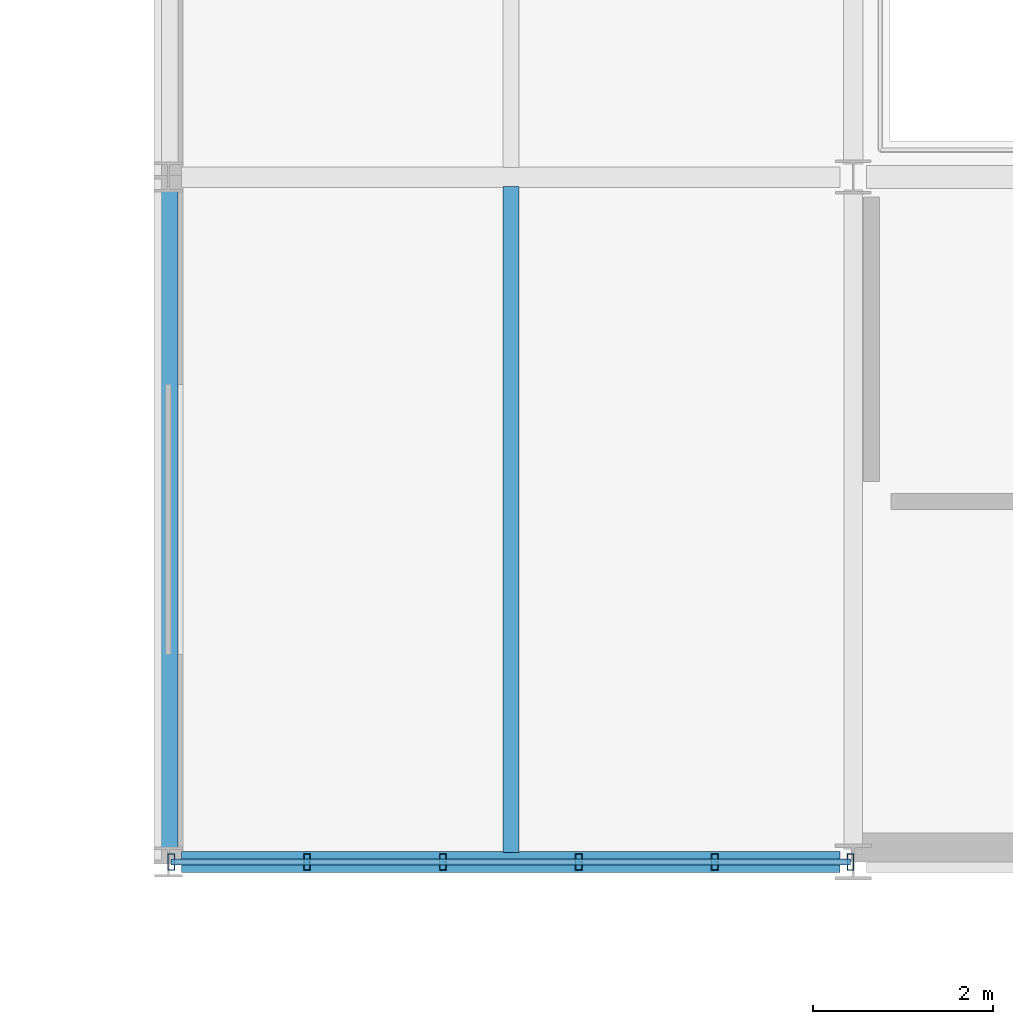
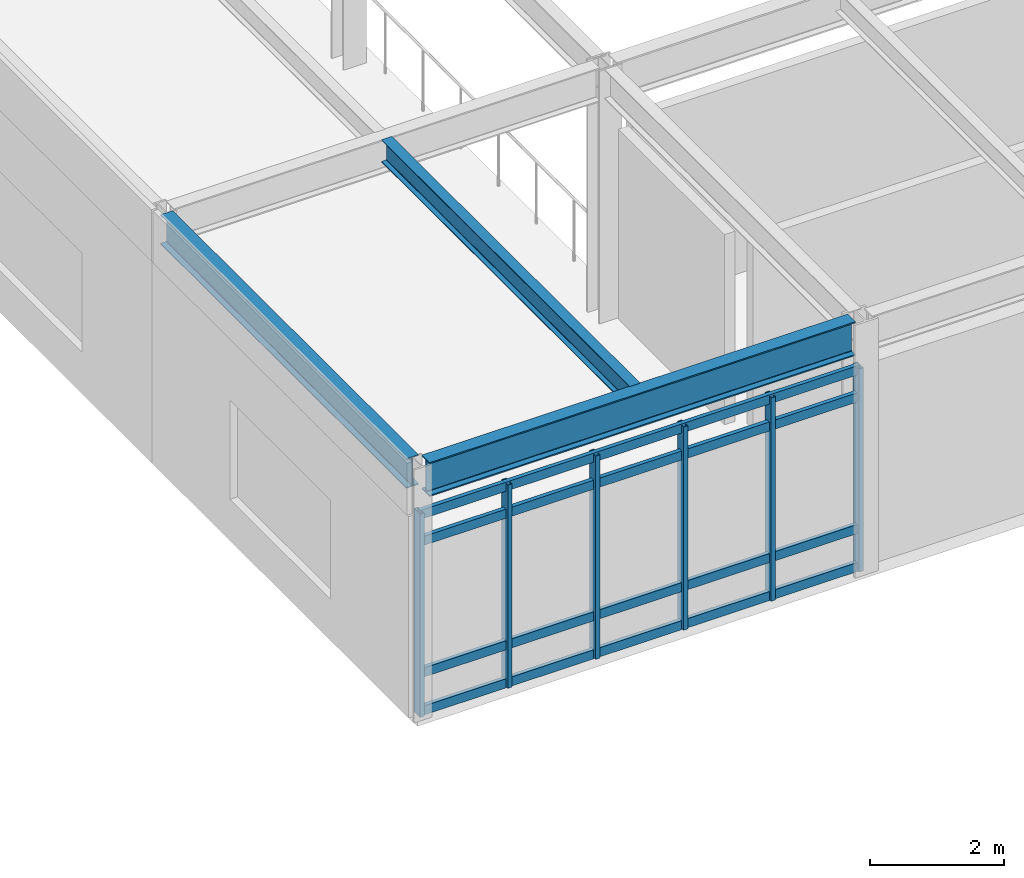
# One storey, part 42 of 104: 10 members, 3 beams, 1 element without a shape of its own.
"""IFC4 building model written with IfcOpenShell, lengths in metres."""

from ifc_helpers import new_model, si_unit, direction, frame, origin, origin_2d, place, context, subcontext, project, spatial, hollow_rectangle, i_section, extrude, material, material_profile, profile_set, type_object, element, aggregate, save


model = new_model("IFC4")

# Units and contexts
model_context = context("Model", 3, precision=1e-05, world=origin(), true_north=direction((0.0, 1.0)))
body_context = subcontext(model_context, "Body", "Model", "MODEL_VIEW")
ifc_project = project(units=[si_unit("LENGTHUNIT", "METRE"), si_unit("AREAUNIT", "SQUARE_METRE"), si_unit("VOLUMEUNIT", "CUBIC_METRE"), si_unit("PLANEANGLEUNIT", "RADIAN"), si_unit("MASSUNIT", "GRAM", prefix="KILO")], contexts=[model_context])

# Site, building, storey
site_placement = place(None, origin())
site = spatial("IfcSite", under=ifc_project, at=site_placement, CompositionType="ELEMENT")
building_placement = place(site_placement, origin())
building = spatial("IfcBuilding", under=site, at=building_placement, Name="Zulena Civic Courthouse", CompositionType="ELEMENT")
storey_placement = place(building_placement, frame((0.0, 0.0, 10.800048828125)))
storey = spatial("IfcBuildingStorey", under=building, at=storey_placement, Name="L02", CompositionType="ELEMENT", Elevation=10.800048828125)

# Curtain wall, members
ifc_material_1 = material(Name="Double-silver low-E laminated solar-control glass", Category="glass")
curtain_wall_type = type_object("IfcCurtainWallType", Name="CW_7540x3690", PredefinedType="USERDEFINED", material=ifc_material_1)
curtain_wall_placement = place(storey_placement, origin())
curtain_wall = element("IfcCurtainWall", 1, at=curtain_wall_placement, inside=storey, type_object=curtain_wall_type, Name="cw:V1:L02:3:5", ObjectType="UNITISED CURTAIN WALL", PredefinedType="USERDEFINED")
ifc_material_2 = material(Name="Bronze anodised thermally broken aluminium AA6063-T6", Category="aluminium")
ifc_material_profile_1 = material_profile(ifc_material_2, hollow_rectangle(XDim=0.074951171875, YDim=0.179931640625, WallThickness=0.0048828125, at=origin_2d()), Name="CWM180X75X5")
ifc_profile_set_1 = profile_set([ifc_material_profile_1], Name="Bronze anodised thermally broken aluminium AA6063-T6")
member_type_1 = type_object("IfcMemberType", Name="CWMullion_180x75", PredefinedType="MULLION", material=ifc_profile_set_1)
member_1_placement = place(storey_placement, frame((131.969970703125, 0.0, 0.0), z_axis=(0.0, 0.0, 1.0), x_axis=(1.0, 0.0, 0.0)))
member_1 = element("IfcMember", 2, at=member_1_placement, type_object=member_type_1, Name="cw:V1:L02:3:5:mull:0", PredefinedType="MULLION", context=body_context, shape_type="SweptSolid", body=[
    extrude(hollow_rectangle(XDim=0.074951171875, YDim=0.179931640625, WallThickness=0.0048828125, at=origin_2d()), origin(), (0.0, 0.0, 1.0), 3.68994140625),
])
member_2_placement = place(storey_placement, frame((130.4619140625, 0.0, 0.0), z_axis=(0.0, 0.0, 1.0), x_axis=(1.0, 0.0, 0.0)))
member_2 = element("IfcMember", 3, at=member_2_placement, type_object=member_type_1, Name="cw:V1:L02:3:5:mull:1", PredefinedType="MULLION", context=body_context, shape_type="SweptSolid", body=[
    extrude(hollow_rectangle(XDim=0.074951171875, YDim=0.179931640625, WallThickness=0.0048828125, at=origin_2d()), origin(), (0.0, 0.0, 1.0), 3.68994140625),
])
member_3_placement = place(storey_placement, frame((128.9541015625, 0.0, 0.0), z_axis=(0.0, 0.0, 1.0), x_axis=(1.0, 0.0, 0.0)))
member_3 = element("IfcMember", 4, at=member_3_placement, type_object=member_type_1, Name="cw:V1:L02:3:5:mull:2", PredefinedType="MULLION", context=body_context, shape_type="SweptSolid", body=[
    extrude(hollow_rectangle(XDim=0.074951171875, YDim=0.179931640625, WallThickness=0.0048828125, at=origin_2d()), origin(), (0.0, 0.0, 1.0), 3.68994140625),
])
member_4_placement = place(storey_placement, frame((127.446044921875, 0.0, 0.0), z_axis=(0.0, 0.0, 1.0), x_axis=(1.0, 0.0, 0.0)))
member_4 = element("IfcMember", 5, at=member_4_placement, type_object=member_type_1, Name="cw:V1:L02:3:5:mull:3", PredefinedType="MULLION", context=body_context, shape_type="SweptSolid", body=[
    extrude(hollow_rectangle(XDim=0.074951171875, YDim=0.179931640625, WallThickness=0.0048828125, at=origin_2d()), origin(), (0.0, 0.0, 1.0), 3.68994140625),
])
member_5_placement = place(storey_placement, frame((125.93798828125, 0.0, 0.0), z_axis=(0.0, 0.0, 1.0), x_axis=(1.0, 0.0, 0.0)))
member_5 = element("IfcMember", 6, at=member_5_placement, type_object=member_type_1, Name="cw:V1:L02:3:5:mull:4", PredefinedType="MULLION", context=body_context, shape_type="SweptSolid", body=[
    extrude(hollow_rectangle(XDim=0.074951171875, YDim=0.179931640625, WallThickness=0.0048828125, at=origin_2d()), origin(), (0.0, 0.0, 1.0), 3.68994140625),
])
member_6_placement = place(storey_placement, frame((124.429931640625, 0.0, 0.0), z_axis=(0.0, 0.0, 1.0), x_axis=(1.0, 0.0, 0.0)))
member_6 = element("IfcMember", 7, at=member_6_placement, type_object=member_type_1, Name="cw:V1:L02:3:5:mull:5", PredefinedType="MULLION", context=body_context, shape_type="SweptSolid", body=[
    extrude(hollow_rectangle(XDim=0.074951171875, YDim=0.179931640625, WallThickness=0.0048828125, at=origin_2d()), origin(), (0.0, 0.0, 1.0), 3.68994140625),
])
ifc_material_profile_2 = material_profile(ifc_material_2, hollow_rectangle(XDim=0.070068359375, YDim=0.1650390625, WallThickness=0.00390625, at=origin_2d()), Name="CWT165X70X4")
ifc_profile_set_2 = profile_set([ifc_material_profile_2], Name="Bronze anodised thermally broken aluminium AA6063-T6")
member_type_2 = type_object("IfcMemberType", Name="CWTransom_165x70", PredefinedType="USERDEFINED", material=ifc_profile_set_2)
member_7_placement = place(storey_placement, frame((131.969970703125, 0.0, 0.06005859375), z_axis=(-1.0, 0.0, 0.0), x_axis=(0.0, -1.0, 0.0)))
member_7 = element("IfcMember", 8, at=member_7_placement, type_object=member_type_2, Name="cw:V1:L02:3:5:tran:0", ObjectType="TRANSOM", PredefinedType="USERDEFINED", context=body_context, shape_type="SweptSolid", body=[
    extrude(hollow_rectangle(XDim=0.070068359375, YDim=0.1650390625, WallThickness=0.00390625, at=origin_2d()), origin(), (0.0, 0.0, 1.0), 7.5400390625),
])
member_8_placement = place(storey_placement, frame((131.969970703125, 0.0, 0.75), z_axis=(-1.0, 0.0, 0.0), x_axis=(0.0, -1.0, 0.0)))
member_8 = element("IfcMember", 9, at=member_8_placement, type_object=member_type_2, Name="cw:V1:L02:3:5:tran:1", ObjectType="TRANSOM", PredefinedType="USERDEFINED", context=body_context, shape_type="SweptSolid", body=[
    extrude(hollow_rectangle(XDim=0.070068359375, YDim=0.1650390625, WallThickness=0.00390625, at=origin_2d()), origin(), (0.0, 0.0, 1.0), 7.5400390625),
])
member_9_placement = place(storey_placement, frame((131.969970703125, 0.0, 3.139892578125), z_axis=(-1.0, 0.0, 0.0), x_axis=(0.0, -1.0, 0.0)))
member_9 = element("IfcMember", 10, at=member_9_placement, type_object=member_type_2, Name="cw:V1:L02:3:5:tran:2", ObjectType="TRANSOM", PredefinedType="USERDEFINED", context=body_context, shape_type="SweptSolid", body=[
    extrude(hollow_rectangle(XDim=0.070068359375, YDim=0.1650390625, WallThickness=0.00390625, at=origin_2d()), origin(), (0.0, 0.0, 1.0), 7.5400390625),
])
member_10_placement = place(storey_placement, frame((131.969970703125, 0.0, 3.6298828125), z_axis=(-1.0, 0.0, 0.0), x_axis=(0.0, -1.0, 0.0)))
member_10 = element("IfcMember", 11, at=member_10_placement, type_object=member_type_2, Name="cw:V1:L02:3:5:tran:3", ObjectType="TRANSOM", PredefinedType="USERDEFINED", context=body_context, shape_type="SweptSolid", body=[
    extrude(hollow_rectangle(XDim=0.070068359375, YDim=0.1650390625, WallThickness=0.00390625, at=origin_2d()), origin(), (0.0, 0.0, 1.0), 7.5400390625),
])
aggregate(curtain_wall, [member_1, member_2, member_3, member_4, member_5, member_6, member_7, member_8, member_9, member_10])

# Beams
ifc_material_3 = material(Name="Steel ASTM A992 Grade 50", Category="steel")
ifc_material_profile_3 = material_profile(ifc_material_3, i_section(OverallWidth=0.177978515625, OverallDepth=0.406005859375, WebThickness=0.0078125, FlangeThickness=0.0126953125, FilletRadius=0.01025390625, at=origin_2d()), Name="W16X40")
ifc_profile_set_3 = profile_set([ifc_material_profile_3], Name="Steel ASTM A992 Grade 50")
beam_type_1 = type_object("IfcBeamType", Name="Joist_W16X40", PredefinedType="JOIST", material=ifc_profile_set_3)
beam_1_placement = place(storey_placement, frame((128.199951171875, 0.10498046875, 4.386962890625), z_axis=(0.0, 1.0, 0.0), x_axis=(-1.0, 0.0, 0.0)))
element("IfcBeam", 12, at=beam_1_placement, inside=storey, type_object=beam_type_1, Name="joist:V1:L02:128.20:0.0_7.6", PredefinedType="JOIST", context=body_context, shape_type="SweptSolid", body=[
    extrude(i_section(OverallWidth=0.177978515625, OverallDepth=0.406005859375, WebThickness=0.0078125, FlangeThickness=0.0126953125, FilletRadius=0.01025390625, at=origin_2d()), origin(), (0.0, 0.0, 1.0), 7.39013671875),
])
ifc_material_profile_4 = material_profile(ifc_material_3, i_section(OverallWidth=0.2099609375, OverallDepth=0.537109375, WebThickness=0.010986328125, FlangeThickness=0.017333984375, FilletRadius=0.0126953125, at=origin_2d()), Name="W21X68")
ifc_profile_set_4 = profile_set([ifc_material_profile_4], Name="Steel ASTM A992 Grade 50")
beam_type_2 = type_object("IfcBeamType", Name="Spandrel_W21X68", PredefinedType="SPANDREL", material=ifc_profile_set_4)
beam_2_placement = place(storey_placement, frame((124.39990234375, 0.14501953125, 4.321533203125), z_axis=(0.0, 1.0, 0.0), x_axis=(-1.0, 0.0, 0.0)))
element("IfcBeam", 13, at=beam_2_placement, inside=storey, type_object=beam_type_2, Name="beam:Y:V1:L02:124.4:0.0_7.6", PredefinedType="SPANDREL", context=body_context, shape_type="SweptSolid", body=[
    extrude(i_section(OverallWidth=0.2099609375, OverallDepth=0.537109375, WebThickness=0.010986328125, FlangeThickness=0.017333984375, FilletRadius=0.0126953125, at=origin_2d()), origin(), (0.0, 0.0, 1.0), 7.31005859375),
])
ifc_material_profile_5 = material_profile(ifc_material_3, i_section(OverallWidth=0.22998046875, OverallDepth=0.616943359375, WebThickness=0.01318359375, FlangeThickness=0.022216796875, FilletRadius=0.0126953125, at=origin_2d()), Name="W24X94")
ifc_profile_set_5 = profile_set([ifc_material_profile_5], Name="Steel ASTM A992 Grade 50")
beam_type_3 = type_object("IfcBeamType", Name="Spandrel_W24X94", PredefinedType="SPANDREL", material=ifc_profile_set_5)
beam_3_placement = place(storey_placement, frame((124.544921875, 0.0, 4.281494140625), z_axis=(1.0, 0.0, 0.0), x_axis=(0.0, 1.0, 0.0)))
element("IfcBeam", 14, at=beam_3_placement, inside=storey, type_object=beam_type_3, Name="beam:X:V1:L02:0.0:124.4_132.0", PredefinedType="SPANDREL", context=body_context, shape_type="SweptSolid", body=[
    extrude(i_section(OverallWidth=0.22998046875, OverallDepth=0.616943359375, WebThickness=0.01318359375, FlangeThickness=0.022216796875, FilletRadius=0.0126953125, at=origin_2d()), origin(), (0.0, 0.0, 1.0), 7.31005859375),
])

save(model, "model.ifc")
